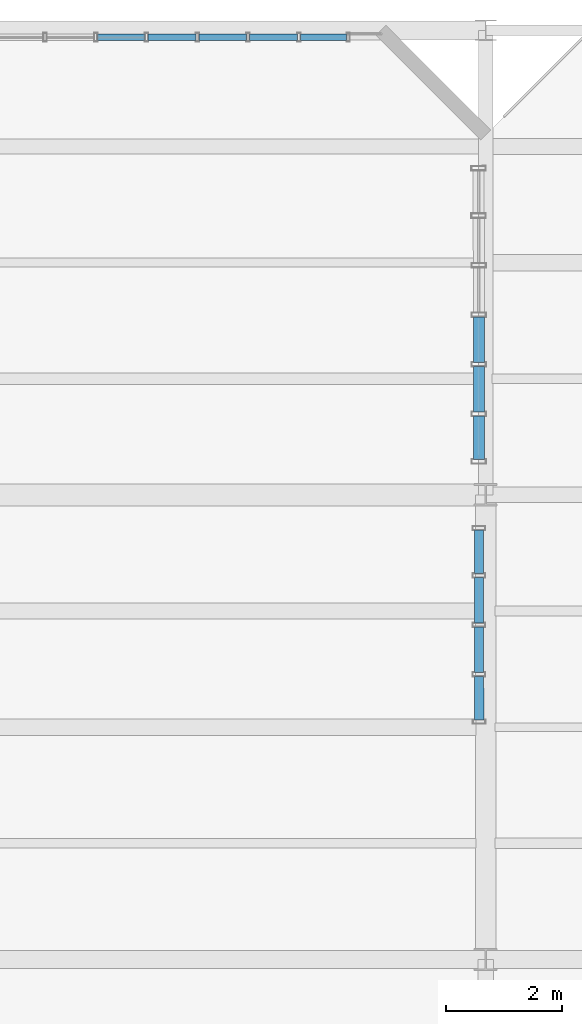
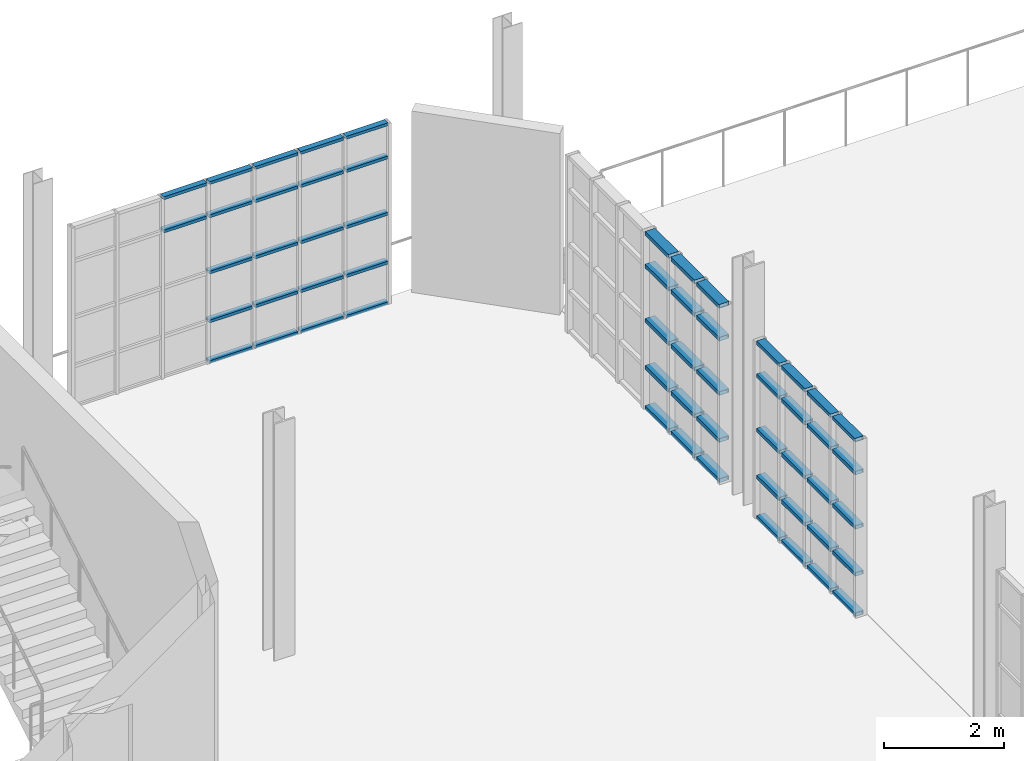
# One storey, part 65 of 85: 57 members, 3 elements without a shape of their own.
"""IFC4 building model written with IfcOpenShell, lengths in metres."""

from ifc_helpers import new_model, si_unit, direction, frame, origin, origin_2d, place, context, subcontext, project, spatial, hollow_rectangle, extrude, material, layer, layer_set, material_profile, profile_set, type_object, element, aggregate, save


model = new_model("IFC4")

# Units and contexts
model_context = context("Model", 3, precision=1e-05, world=origin(), true_north=direction((0.0, 1.0)))
body_context = subcontext(model_context, "Body", "Model", "MODEL_VIEW")
ifc_project = project(units=[si_unit("LENGTHUNIT", "METRE"), si_unit("AREAUNIT", "SQUARE_METRE"), si_unit("VOLUMEUNIT", "CUBIC_METRE"), si_unit("PLANEANGLEUNIT", "RADIAN"), si_unit("MASSUNIT", "GRAM", prefix="KILO"), si_unit("THERMODYNAMICTEMPERATUREUNIT", "KELVIN"), si_unit("POWERUNIT", "WATT")], contexts=[model_context])

# Site, building, storey
site_placement = place(None, origin())
site = spatial("IfcSite", under=ifc_project, at=site_placement, CompositionType="ELEMENT")
building_placement = place(site_placement, origin())
building = spatial("IfcBuilding", under=site, at=building_placement, Name="Zelmaris Science Centre", CompositionType="ELEMENT")
storey_placement = place(building_placement, frame((0.0, 0.0, 20.39990234375)))
storey = spatial("IfcBuildingStorey", under=building, at=storey_placement, Name="L04", CompositionType="ELEMENT", Elevation=20.39990234375)

# Curtain wall, members
ifc_material = material(Name="Anodised architectural aluminium 6063-T6", Category="aluminium")
ifc_layer_1 = layer(ifc_material, 0.219970703125, Name="Anodised architectural aluminium 6063-T6")
ifc_layer_set_1 = layer_set([ifc_layer_1], Name="Anodised architectural aluminium 6063-T6")
curtain_wall_type_1 = type_object("IfcCurtainWallType", Name="Curtain Wall CW-04", PredefinedType="USERDEFINED", material=ifc_layer_set_1)
curtain_wall_1_placement = place(storey_placement, origin())
curtain_wall_1 = element("IfcCurtainWall", 1, at=curtain_wall_1_placement, inside=storey, type_object=curtain_wall_type_1, Name="L04 Unitised curtain wall 344", ObjectType="GLAZED CURTAIN WALL", PredefinedType="USERDEFINED")
ifc_material_profile_1 = material_profile(ifc_material, hollow_rectangle(XDim=0.06005859375, YDim=0.110107421875, WallThickness=0.0029296875, at=origin_2d()), Name="ALU-TRN-60X110")
ifc_profile_set_1 = profile_set([ifc_material_profile_1], Name="Anodised architectural aluminium 6063-T6")
member_type_1 = type_object("IfcMemberType", Name="ALU-TRN-60X110", PredefinedType="USERDEFINED", material=ifc_profile_set_1)
member_1_placement = place(storey_placement, frame((74.314453125, 87.8798828125, 2.964111328125), z_axis=(1.0, 0.0, 0.0), x_axis=(0.0, 0.0, 1.0)))
member_1 = element("IfcMember", 2, at=member_1_placement, type_object=member_type_1, Name="CW-04 transom 3.4", ObjectType="TRANSOM", PredefinedType="USERDEFINED", context=body_context, shape_type="SweptSolid", body=[
    extrude(hollow_rectangle(XDim=0.06005859375, YDim=0.110107421875, WallThickness=0.0029296875, at=origin_2d()), origin(), (0.0, 0.0, 1.0), 0.822509765625),
])
member_2_placement = place(storey_placement, frame((74.314453125, 87.8798828125, 3.63818359375), z_axis=(1.0, 0.0, 0.0), x_axis=(0.0, 0.0, 1.0)))
member_2 = element("IfcMember", 3, at=member_2_placement, type_object=member_type_1, Name="CW-04 transom 3.5", ObjectType="TRANSOM", PredefinedType="USERDEFINED", context=body_context, shape_type="SweptSolid", body=[
    extrude(hollow_rectangle(XDim=0.06005859375, YDim=0.110107421875, WallThickness=0.0029296875, at=origin_2d()), origin(), (0.0, 0.0, 1.0), 0.822509765625),
])
member_3_placement = place(storey_placement, frame((75.18896484375, 87.8798828125, 0.010986328125), z_axis=(1.0, 0.0, 0.0), x_axis=(0.0, 0.0, 1.0)))
member_3 = element("IfcMember", 4, at=member_3_placement, type_object=member_type_1, Name="CW-04 transom 4.1", ObjectType="TRANSOM", PredefinedType="USERDEFINED", context=body_context, shape_type="SweptSolid", body=[
    extrude(hollow_rectangle(XDim=0.06005859375, YDim=0.110107421875, WallThickness=0.0029296875, at=origin_2d()), origin(), (0.0, 0.0, 1.0), 0.822265625),
])
member_4_placement = place(storey_placement, frame((75.18896484375, 87.8798828125, 0.835205078125), z_axis=(1.0, 0.0, 0.0), x_axis=(0.0, 0.0, 1.0)))
member_4 = element("IfcMember", 5, at=member_4_placement, type_object=member_type_1, Name="CW-04 transom 4.2", ObjectType="TRANSOM", PredefinedType="USERDEFINED", context=body_context, shape_type="SweptSolid", body=[
    extrude(hollow_rectangle(XDim=0.06005859375, YDim=0.110107421875, WallThickness=0.0029296875, at=origin_2d()), origin(), (0.0, 0.0, 1.0), 0.822265625),
])
member_5_placement = place(storey_placement, frame((75.18896484375, 87.8798828125, 1.82470703125), z_axis=(1.0, 0.0, 0.0), x_axis=(0.0, 0.0, 1.0)))
member_5 = element("IfcMember", 6, at=member_5_placement, type_object=member_type_1, Name="CW-04 transom 4.3", ObjectType="TRANSOM", PredefinedType="USERDEFINED", context=body_context, shape_type="SweptSolid", body=[
    extrude(hollow_rectangle(XDim=0.06005859375, YDim=0.110107421875, WallThickness=0.0029296875, at=origin_2d()), origin(), (0.0, 0.0, 1.0), 0.822265625),
])
member_6_placement = place(storey_placement, frame((75.18896484375, 87.8798828125, 2.964111328125), z_axis=(1.0, 0.0, 0.0), x_axis=(0.0, 0.0, 1.0)))
member_6 = element("IfcMember", 7, at=member_6_placement, type_object=member_type_1, Name="CW-04 transom 4.4", ObjectType="TRANSOM", PredefinedType="USERDEFINED", context=body_context, shape_type="SweptSolid", body=[
    extrude(hollow_rectangle(XDim=0.06005859375, YDim=0.110107421875, WallThickness=0.0029296875, at=origin_2d()), origin(), (0.0, 0.0, 1.0), 0.822265625),
])
member_7_placement = place(storey_placement, frame((75.18896484375, 87.8798828125, 3.63818359375), z_axis=(1.0, 0.0, 0.0), x_axis=(0.0, 0.0, 1.0)))
member_7 = element("IfcMember", 8, at=member_7_placement, type_object=member_type_1, Name="CW-04 transom 4.5", ObjectType="TRANSOM", PredefinedType="USERDEFINED", context=body_context, shape_type="SweptSolid", body=[
    extrude(hollow_rectangle(XDim=0.06005859375, YDim=0.110107421875, WallThickness=0.0029296875, at=origin_2d()), origin(), (0.0, 0.0, 1.0), 0.822265625),
])
member_8_placement = place(storey_placement, frame((76.063232421875, 87.8798828125, 0.010986328125), z_axis=(1.0, 0.0, 0.0), x_axis=(0.0, 0.0, 1.0)))
member_8 = element("IfcMember", 9, at=member_8_placement, type_object=member_type_1, Name="CW-04 transom 5.1", ObjectType="TRANSOM", PredefinedType="USERDEFINED", context=body_context, shape_type="SweptSolid", body=[
    extrude(hollow_rectangle(XDim=0.06005859375, YDim=0.110107421875, WallThickness=0.0029296875, at=origin_2d()), origin(), (0.0, 0.0, 1.0), 0.822265625),
])
member_9_placement = place(storey_placement, frame((76.063232421875, 87.8798828125, 0.835205078125), z_axis=(1.0, 0.0, 0.0), x_axis=(0.0, 0.0, 1.0)))
member_9 = element("IfcMember", 10, at=member_9_placement, type_object=member_type_1, Name="CW-04 transom 5.2", ObjectType="TRANSOM", PredefinedType="USERDEFINED", context=body_context, shape_type="SweptSolid", body=[
    extrude(hollow_rectangle(XDim=0.06005859375, YDim=0.110107421875, WallThickness=0.0029296875, at=origin_2d()), origin(), (0.0, 0.0, 1.0), 0.822265625),
])
member_10_placement = place(storey_placement, frame((76.063232421875, 87.8798828125, 1.82470703125), z_axis=(1.0, 0.0, 0.0), x_axis=(0.0, 0.0, 1.0)))
member_10 = element("IfcMember", 11, at=member_10_placement, type_object=member_type_1, Name="CW-04 transom 5.3", ObjectType="TRANSOM", PredefinedType="USERDEFINED", context=body_context, shape_type="SweptSolid", body=[
    extrude(hollow_rectangle(XDim=0.06005859375, YDim=0.110107421875, WallThickness=0.0029296875, at=origin_2d()), origin(), (0.0, 0.0, 1.0), 0.822265625),
])
member_11_placement = place(storey_placement, frame((76.063232421875, 87.8798828125, 2.964111328125), z_axis=(1.0, 0.0, 0.0), x_axis=(0.0, 0.0, 1.0)))
member_11 = element("IfcMember", 12, at=member_11_placement, type_object=member_type_1, Name="CW-04 transom 5.4", ObjectType="TRANSOM", PredefinedType="USERDEFINED", context=body_context, shape_type="SweptSolid", body=[
    extrude(hollow_rectangle(XDim=0.06005859375, YDim=0.110107421875, WallThickness=0.0029296875, at=origin_2d()), origin(), (0.0, 0.0, 1.0), 0.822265625),
])
member_12_placement = place(storey_placement, frame((76.063232421875, 87.8798828125, 3.63818359375), z_axis=(1.0, 0.0, 0.0), x_axis=(0.0, 0.0, 1.0)))
member_12 = element("IfcMember", 13, at=member_12_placement, type_object=member_type_1, Name="CW-04 transom 5.5", ObjectType="TRANSOM", PredefinedType="USERDEFINED", context=body_context, shape_type="SweptSolid", body=[
    extrude(hollow_rectangle(XDim=0.06005859375, YDim=0.110107421875, WallThickness=0.0029296875, at=origin_2d()), origin(), (0.0, 0.0, 1.0), 0.822265625),
])
member_13_placement = place(storey_placement, frame((76.9375, 87.8798828125, 0.010986328125), z_axis=(1.0, 0.0, 0.0), x_axis=(0.0, 0.0, 1.0)))
member_13 = element("IfcMember", 14, at=member_13_placement, type_object=member_type_1, Name="CW-04 transom 6.1", ObjectType="TRANSOM", PredefinedType="USERDEFINED", context=body_context, shape_type="SweptSolid", body=[
    extrude(hollow_rectangle(XDim=0.06005859375, YDim=0.110107421875, WallThickness=0.0029296875, at=origin_2d()), origin(), (0.0, 0.0, 1.0), 0.822265625),
])
member_14_placement = place(storey_placement, frame((76.9375, 87.8798828125, 0.835205078125), z_axis=(1.0, 0.0, 0.0), x_axis=(0.0, 0.0, 1.0)))
member_14 = element("IfcMember", 15, at=member_14_placement, type_object=member_type_1, Name="CW-04 transom 6.2", ObjectType="TRANSOM", PredefinedType="USERDEFINED", context=body_context, shape_type="SweptSolid", body=[
    extrude(hollow_rectangle(XDim=0.06005859375, YDim=0.110107421875, WallThickness=0.0029296875, at=origin_2d()), origin(), (0.0, 0.0, 1.0), 0.822265625),
])
member_15_placement = place(storey_placement, frame((76.9375, 87.8798828125, 1.82470703125), z_axis=(1.0, 0.0, 0.0), x_axis=(0.0, 0.0, 1.0)))
member_15 = element("IfcMember", 16, at=member_15_placement, type_object=member_type_1, Name="CW-04 transom 6.3", ObjectType="TRANSOM", PredefinedType="USERDEFINED", context=body_context, shape_type="SweptSolid", body=[
    extrude(hollow_rectangle(XDim=0.06005859375, YDim=0.110107421875, WallThickness=0.0029296875, at=origin_2d()), origin(), (0.0, 0.0, 1.0), 0.822265625),
])
member_16_placement = place(storey_placement, frame((76.9375, 87.8798828125, 2.964111328125), z_axis=(1.0, 0.0, 0.0), x_axis=(0.0, 0.0, 1.0)))
member_16 = element("IfcMember", 17, at=member_16_placement, type_object=member_type_1, Name="CW-04 transom 6.4", ObjectType="TRANSOM", PredefinedType="USERDEFINED", context=body_context, shape_type="SweptSolid", body=[
    extrude(hollow_rectangle(XDim=0.06005859375, YDim=0.110107421875, WallThickness=0.0029296875, at=origin_2d()), origin(), (0.0, 0.0, 1.0), 0.822265625),
])
member_17_placement = place(storey_placement, frame((76.9375, 87.8798828125, 3.63818359375), z_axis=(1.0, 0.0, 0.0), x_axis=(0.0, 0.0, 1.0)))
member_17 = element("IfcMember", 18, at=member_17_placement, type_object=member_type_1, Name="CW-04 transom 6.5", ObjectType="TRANSOM", PredefinedType="USERDEFINED", context=body_context, shape_type="SweptSolid", body=[
    extrude(hollow_rectangle(XDim=0.06005859375, YDim=0.110107421875, WallThickness=0.0029296875, at=origin_2d()), origin(), (0.0, 0.0, 1.0), 0.822265625),
])
member_18_placement = place(storey_placement, frame((77.811767578125, 87.8798828125, 0.010986328125), z_axis=(1.0, 0.0, 0.0), x_axis=(0.0, 0.0, 1.0)))
member_18 = element("IfcMember", 19, at=member_18_placement, type_object=member_type_1, Name="CW-04 transom 7.1", ObjectType="TRANSOM", PredefinedType="USERDEFINED", context=body_context, shape_type="SweptSolid", body=[
    extrude(hollow_rectangle(XDim=0.06005859375, YDim=0.110107421875, WallThickness=0.0029296875, at=origin_2d()), origin(), (0.0, 0.0, 1.0), 0.796142578125),
])
member_19_placement = place(storey_placement, frame((77.811767578125, 87.8798828125, 0.835205078125), z_axis=(1.0, 0.0, 0.0), x_axis=(0.0, 0.0, 1.0)))
member_19 = element("IfcMember", 20, at=member_19_placement, type_object=member_type_1, Name="CW-04 transom 7.2", ObjectType="TRANSOM", PredefinedType="USERDEFINED", context=body_context, shape_type="SweptSolid", body=[
    extrude(hollow_rectangle(XDim=0.06005859375, YDim=0.110107421875, WallThickness=0.0029296875, at=origin_2d()), origin(), (0.0, 0.0, 1.0), 0.796142578125),
])
member_20_placement = place(storey_placement, frame((77.811767578125, 87.8798828125, 1.82470703125), z_axis=(1.0, 0.0, 0.0), x_axis=(0.0, 0.0, 1.0)))
member_20 = element("IfcMember", 21, at=member_20_placement, type_object=member_type_1, Name="CW-04 transom 7.3", ObjectType="TRANSOM", PredefinedType="USERDEFINED", context=body_context, shape_type="SweptSolid", body=[
    extrude(hollow_rectangle(XDim=0.06005859375, YDim=0.110107421875, WallThickness=0.0029296875, at=origin_2d()), origin(), (0.0, 0.0, 1.0), 0.796142578125),
])
member_21_placement = place(storey_placement, frame((77.811767578125, 87.8798828125, 2.964111328125), z_axis=(1.0, 0.0, 0.0), x_axis=(0.0, 0.0, 1.0)))
member_21 = element("IfcMember", 22, at=member_21_placement, type_object=member_type_1, Name="CW-04 transom 7.4", ObjectType="TRANSOM", PredefinedType="USERDEFINED", context=body_context, shape_type="SweptSolid", body=[
    extrude(hollow_rectangle(XDim=0.06005859375, YDim=0.110107421875, WallThickness=0.0029296875, at=origin_2d()), origin(), (0.0, 0.0, 1.0), 0.796142578125),
])
member_22_placement = place(storey_placement, frame((77.811767578125, 87.8798828125, 3.63818359375), z_axis=(1.0, 0.0, 0.0), x_axis=(0.0, 0.0, 1.0)))
member_22 = element("IfcMember", 23, at=member_22_placement, type_object=member_type_1, Name="CW-04 transom 7.5", ObjectType="TRANSOM", PredefinedType="USERDEFINED", context=body_context, shape_type="SweptSolid", body=[
    extrude(hollow_rectangle(XDim=0.06005859375, YDim=0.110107421875, WallThickness=0.0029296875, at=origin_2d()), origin(), (0.0, 0.0, 1.0), 0.796142578125),
])
aggregate(curtain_wall_1, [member_1, member_2, member_3, member_4, member_5, member_6, member_7, member_8, member_9, member_10, member_11, member_12, member_13, member_14, member_15, member_16, member_17, member_18, member_19, member_20, member_21, member_22])

ifc_layer_2 = layer(ifc_material, 0.199951171875, Name="Anodised architectural aluminium 6063-T6")
ifc_layer_set_2 = layer_set([ifc_layer_2], Name="Anodised architectural aluminium 6063-T6")
curtain_wall_type_2 = type_object("IfcCurtainWallType", Name="Curtain Wall CW-02", PredefinedType="USERDEFINED", material=ifc_layer_set_2)
curtain_wall_2_placement = place(storey_placement, origin())
curtain_wall_2 = element("IfcCurtainWall", 24, at=curtain_wall_2_placement, inside=storey, type_object=curtain_wall_type_2, Name="L04 Unitised curtain wall 346", ObjectType="GLAZED CURTAIN WALL", PredefinedType="USERDEFINED")
ifc_material_profile_2 = material_profile(ifc_material, hollow_rectangle(XDim=0.074951171875, YDim=0.159912109375, WallThickness=0.00390625, at=origin_2d()), Name="ALU-TRN-75X160")
ifc_profile_set_2 = profile_set([ifc_material_profile_2], Name="Anodised architectural aluminium 6063-T6")
member_type_2 = type_object("IfcMemberType", Name="ALU-TRN-75X160", PredefinedType="USERDEFINED", material=ifc_profile_set_2)
member_23_placement = place(storey_placement, frame((80.88525390625, 79.392822265625, 0.0185546875), z_axis=(0.00065146566, -0.999999787796, 0.0), x_axis=(0.0, 0.0, 1.0)))
member_23 = element("IfcMember", 25, at=member_23_placement, type_object=member_type_2, Name="CW-02 transom 1.1", ObjectType="TRANSOM", PredefinedType="USERDEFINED", context=body_context, shape_type="SweptSolid", body=[
    extrude(hollow_rectangle(XDim=0.074951171875, YDim=0.159912109375, WallThickness=0.00390625, at=origin_2d()), origin(), (0.0, 0.0, 1.0), 0.74951171875),
])
member_24_placement = place(storey_placement, frame((80.88525390625, 79.392822265625, 0.835205078125), z_axis=(0.00065146566, -0.999999787796, 0.0), x_axis=(0.0, 0.0, 1.0)))
member_24 = element("IfcMember", 26, at=member_24_placement, type_object=member_type_2, Name="CW-02 transom 1.2", ObjectType="TRANSOM", PredefinedType="USERDEFINED", context=body_context, shape_type="SweptSolid", body=[
    extrude(hollow_rectangle(XDim=0.074951171875, YDim=0.159912109375, WallThickness=0.00390625, at=origin_2d()), origin(), (0.0, 0.0, 1.0), 0.74951171875),
])
member_25_placement = place(storey_placement, frame((80.88525390625, 79.392822265625, 1.78662109375), z_axis=(0.00065146566, -0.999999787796, 0.0), x_axis=(0.0, 0.0, 1.0)))
member_25 = element("IfcMember", 27, at=member_25_placement, type_object=member_type_2, Name="CW-02 transom 1.3", ObjectType="TRANSOM", PredefinedType="USERDEFINED", context=body_context, shape_type="SweptSolid", body=[
    extrude(hollow_rectangle(XDim=0.074951171875, YDim=0.159912109375, WallThickness=0.00390625, at=origin_2d()), origin(), (0.0, 0.0, 1.0), 0.74951171875),
])
member_26_placement = place(storey_placement, frame((80.88525390625, 79.392822265625, 2.88818359375), z_axis=(0.00065146566, -0.999999787796, 0.0), x_axis=(0.0, 0.0, 1.0)))
member_26 = element("IfcMember", 28, at=member_26_placement, type_object=member_type_2, Name="CW-02 transom 1.4", ObjectType="TRANSOM", PredefinedType="USERDEFINED", context=body_context, shape_type="SweptSolid", body=[
    extrude(hollow_rectangle(XDim=0.074951171875, YDim=0.159912109375, WallThickness=0.00390625, at=origin_2d()), origin(), (0.0, 0.0, 1.0), 0.74951171875),
])
member_27_placement = place(storey_placement, frame((80.88525390625, 79.392822265625, 3.5546875), z_axis=(0.00065146566, -0.999999787796, 0.0), x_axis=(0.0, 0.0, 1.0)))
member_27 = element("IfcMember", 29, at=member_27_placement, type_object=member_type_2, Name="CW-02 transom 1.5", ObjectType="TRANSOM", PredefinedType="USERDEFINED", context=body_context, shape_type="SweptSolid", body=[
    extrude(hollow_rectangle(XDim=0.074951171875, YDim=0.159912109375, WallThickness=0.00390625, at=origin_2d()), origin(), (0.0, 0.0, 1.0), 0.74951171875),
])
member_28_placement = place(storey_placement, frame((80.8857421875, 78.576416015625, 0.0185546875), z_axis=(0.000935453286, -0.999999562463, 0.0), x_axis=(0.0, 0.0, 1.0)))
member_28 = element("IfcMember", 30, at=member_28_placement, type_object=member_type_2, Name="CW-02 transom 2.1", ObjectType="TRANSOM", PredefinedType="USERDEFINED", context=body_context, shape_type="SweptSolid", body=[
    extrude(hollow_rectangle(XDim=0.074951171875, YDim=0.159912109375, WallThickness=0.00390625, at=origin_2d()), origin(), (0.0, 0.0, 1.0), 0.782958984375),
])
member_29_placement = place(storey_placement, frame((80.8857421875, 78.576416015625, 0.835205078125), z_axis=(0.000935453286, -0.999999562463, 0.0), x_axis=(0.0, 0.0, 1.0)))
member_29 = element("IfcMember", 31, at=member_29_placement, type_object=member_type_2, Name="CW-02 transom 2.2", ObjectType="TRANSOM", PredefinedType="USERDEFINED", context=body_context, shape_type="SweptSolid", body=[
    extrude(hollow_rectangle(XDim=0.074951171875, YDim=0.159912109375, WallThickness=0.00390625, at=origin_2d()), origin(), (0.0, 0.0, 1.0), 0.782958984375),
])
member_30_placement = place(storey_placement, frame((80.8857421875, 78.576416015625, 1.78662109375), z_axis=(0.000935453286, -0.999999562463, 0.0), x_axis=(0.0, 0.0, 1.0)))
member_30 = element("IfcMember", 32, at=member_30_placement, type_object=member_type_2, Name="CW-02 transom 2.3", ObjectType="TRANSOM", PredefinedType="USERDEFINED", context=body_context, shape_type="SweptSolid", body=[
    extrude(hollow_rectangle(XDim=0.074951171875, YDim=0.159912109375, WallThickness=0.00390625, at=origin_2d()), origin(), (0.0, 0.0, 1.0), 0.782958984375),
])
member_31_placement = place(storey_placement, frame((80.8857421875, 78.576416015625, 2.88818359375), z_axis=(0.000935453286, -0.999999562463, 0.0), x_axis=(0.0, 0.0, 1.0)))
member_31 = element("IfcMember", 33, at=member_31_placement, type_object=member_type_2, Name="CW-02 transom 2.4", ObjectType="TRANSOM", PredefinedType="USERDEFINED", context=body_context, shape_type="SweptSolid", body=[
    extrude(hollow_rectangle(XDim=0.074951171875, YDim=0.159912109375, WallThickness=0.00390625, at=origin_2d()), origin(), (0.0, 0.0, 1.0), 0.782958984375),
])
member_32_placement = place(storey_placement, frame((80.8857421875, 78.576416015625, 3.5546875), z_axis=(0.000935453286, -0.999999562463, 0.0), x_axis=(0.0, 0.0, 1.0)))
member_32 = element("IfcMember", 34, at=member_32_placement, type_object=member_type_2, Name="CW-02 transom 2.5", ObjectType="TRANSOM", PredefinedType="USERDEFINED", context=body_context, shape_type="SweptSolid", body=[
    extrude(hollow_rectangle(XDim=0.074951171875, YDim=0.159912109375, WallThickness=0.00390625, at=origin_2d()), origin(), (0.0, 0.0, 1.0), 0.782958984375),
])
member_33_placement = place(storey_placement, frame((80.886474609375, 77.726318359375, 0.0185546875), z_axis=(0.000935453286, -0.999999562463, 0.0), x_axis=(0.0, 0.0, 1.0)))
member_33 = element("IfcMember", 35, at=member_33_placement, type_object=member_type_2, Name="CW-02 transom 3.1", ObjectType="TRANSOM", PredefinedType="USERDEFINED", context=body_context, shape_type="SweptSolid", body=[
    extrude(hollow_rectangle(XDim=0.074951171875, YDim=0.159912109375, WallThickness=0.00390625, at=origin_2d()), origin(), (0.0, 0.0, 1.0), 0.782958984375),
])
member_34_placement = place(storey_placement, frame((80.886474609375, 77.726318359375, 0.835205078125), z_axis=(0.000935453286, -0.999999562463, 0.0), x_axis=(0.0, 0.0, 1.0)))
member_34 = element("IfcMember", 36, at=member_34_placement, type_object=member_type_2, Name="CW-02 transom 3.2", ObjectType="TRANSOM", PredefinedType="USERDEFINED", context=body_context, shape_type="SweptSolid", body=[
    extrude(hollow_rectangle(XDim=0.074951171875, YDim=0.159912109375, WallThickness=0.00390625, at=origin_2d()), origin(), (0.0, 0.0, 1.0), 0.782958984375),
])
member_35_placement = place(storey_placement, frame((80.886474609375, 77.726318359375, 1.78662109375), z_axis=(0.000935453286, -0.999999562463, 0.0), x_axis=(0.0, 0.0, 1.0)))
member_35 = element("IfcMember", 37, at=member_35_placement, type_object=member_type_2, Name="CW-02 transom 3.3", ObjectType="TRANSOM", PredefinedType="USERDEFINED", context=body_context, shape_type="SweptSolid", body=[
    extrude(hollow_rectangle(XDim=0.074951171875, YDim=0.159912109375, WallThickness=0.00390625, at=origin_2d()), origin(), (0.0, 0.0, 1.0), 0.782958984375),
])
member_36_placement = place(storey_placement, frame((80.886474609375, 77.726318359375, 2.88818359375), z_axis=(0.000935453286, -0.999999562463, 0.0), x_axis=(0.0, 0.0, 1.0)))
member_36 = element("IfcMember", 38, at=member_36_placement, type_object=member_type_2, Name="CW-02 transom 3.4", ObjectType="TRANSOM", PredefinedType="USERDEFINED", context=body_context, shape_type="SweptSolid", body=[
    extrude(hollow_rectangle(XDim=0.074951171875, YDim=0.159912109375, WallThickness=0.00390625, at=origin_2d()), origin(), (0.0, 0.0, 1.0), 0.782958984375),
])
member_37_placement = place(storey_placement, frame((80.886474609375, 77.726318359375, 3.5546875), z_axis=(0.000935453286, -0.999999562463, 0.0), x_axis=(0.0, 0.0, 1.0)))
member_37 = element("IfcMember", 39, at=member_37_placement, type_object=member_type_2, Name="CW-02 transom 3.5", ObjectType="TRANSOM", PredefinedType="USERDEFINED", context=body_context, shape_type="SweptSolid", body=[
    extrude(hollow_rectangle(XDim=0.074951171875, YDim=0.159912109375, WallThickness=0.00390625, at=origin_2d()), origin(), (0.0, 0.0, 1.0), 0.782958984375),
])
member_38_placement = place(storey_placement, frame((80.88720703125, 76.87646484375, 0.0185546875), z_axis=(0.00065146566, -0.999999787796, 0.0), x_axis=(0.0, 0.0, 1.0)))
member_38 = element("IfcMember", 40, at=member_38_placement, type_object=member_type_2, Name="CW-02 transom 4.1", ObjectType="TRANSOM", PredefinedType="USERDEFINED", context=body_context, shape_type="SweptSolid", body=[
    extrude(hollow_rectangle(XDim=0.074951171875, YDim=0.159912109375, WallThickness=0.00390625, at=origin_2d()), origin(), (0.0, 0.0, 1.0), 0.74951171875),
])
member_39_placement = place(storey_placement, frame((80.88720703125, 76.87646484375, 0.835205078125), z_axis=(0.00065146566, -0.999999787796, 0.0), x_axis=(0.0, 0.0, 1.0)))
member_39 = element("IfcMember", 41, at=member_39_placement, type_object=member_type_2, Name="CW-02 transom 4.2", ObjectType="TRANSOM", PredefinedType="USERDEFINED", context=body_context, shape_type="SweptSolid", body=[
    extrude(hollow_rectangle(XDim=0.074951171875, YDim=0.159912109375, WallThickness=0.00390625, at=origin_2d()), origin(), (0.0, 0.0, 1.0), 0.74951171875),
])
member_40_placement = place(storey_placement, frame((80.88720703125, 76.87646484375, 1.78662109375), z_axis=(0.00065146566, -0.999999787796, 0.0), x_axis=(0.0, 0.0, 1.0)))
member_40 = element("IfcMember", 42, at=member_40_placement, type_object=member_type_2, Name="CW-02 transom 4.3", ObjectType="TRANSOM", PredefinedType="USERDEFINED", context=body_context, shape_type="SweptSolid", body=[
    extrude(hollow_rectangle(XDim=0.074951171875, YDim=0.159912109375, WallThickness=0.00390625, at=origin_2d()), origin(), (0.0, 0.0, 1.0), 0.74951171875),
])
member_41_placement = place(storey_placement, frame((80.88720703125, 76.87646484375, 2.88818359375), z_axis=(0.00065146566, -0.999999787796, 0.0), x_axis=(0.0, 0.0, 1.0)))
member_41 = element("IfcMember", 43, at=member_41_placement, type_object=member_type_2, Name="CW-02 transom 4.4", ObjectType="TRANSOM", PredefinedType="USERDEFINED", context=body_context, shape_type="SweptSolid", body=[
    extrude(hollow_rectangle(XDim=0.074951171875, YDim=0.159912109375, WallThickness=0.00390625, at=origin_2d()), origin(), (0.0, 0.0, 1.0), 0.74951171875),
])
member_42_placement = place(storey_placement, frame((80.88720703125, 76.87646484375, 3.5546875), z_axis=(0.00065146566, -0.999999787796, 0.0), x_axis=(0.0, 0.0, 1.0)))
member_42 = element("IfcMember", 44, at=member_42_placement, type_object=member_type_2, Name="CW-02 transom 4.5", ObjectType="TRANSOM", PredefinedType="USERDEFINED", context=body_context, shape_type="SweptSolid", body=[
    extrude(hollow_rectangle(XDim=0.074951171875, YDim=0.159912109375, WallThickness=0.00390625, at=origin_2d()), origin(), (0.0, 0.0, 1.0), 0.74951171875),
])
aggregate(curtain_wall_2, [member_23, member_24, member_25, member_26, member_27, member_28, member_29, member_30, member_31, member_32, member_33, member_34, member_35, member_36, member_37, member_38, member_39, member_40, member_41, member_42])

ifc_layer_3 = layer(ifc_material, 0.18994140625, Name="Anodised architectural aluminium 6063-T6")
ifc_layer_set_3 = layer_set([ifc_layer_3], Name="Anodised architectural aluminium 6063-T6")
curtain_wall_type_3 = type_object("IfcCurtainWallType", Name="Curtain Wall CW-01", PredefinedType="USERDEFINED", material=ifc_layer_set_3)
curtain_wall_3_placement = place(storey_placement, origin())
curtain_wall_3 = element("IfcCurtainWall", 45, at=curtain_wall_3_placement, inside=storey, type_object=curtain_wall_type_3, Name="L04 Unitised curtain wall 345", ObjectType="GLAZED CURTAIN WALL", PredefinedType="USERDEFINED")
ifc_material_profile_3 = material_profile(ifc_material, hollow_rectangle(XDim=0.080078125, YDim=0.18994140625, WallThickness=0.00439453125, at=origin_2d()), Name="ALU-TRN-80X190")
ifc_profile_set_3 = profile_set([ifc_material_profile_3], Name="Anodised architectural aluminium 6063-T6")
member_type_3 = type_object("IfcMemberType", Name="ALU-TRN-80X190", PredefinedType="USERDEFINED", material=ifc_profile_set_3)
member_43_placement = place(storey_placement, frame((80.88232421875, 83.06396484375, 0.02099609375), z_axis=(0.000937206711, -0.999999560822, 0.0), x_axis=(0.0, 0.0, 1.0)))
member_43 = element("IfcMember", 46, at=member_43_placement, type_object=member_type_3, Name="CW-01 transom 4.1", ObjectType="TRANSOM", PredefinedType="USERDEFINED", context=body_context, shape_type="SweptSolid", body=[
    extrude(hollow_rectangle(XDim=0.080078125, YDim=0.18994140625, WallThickness=0.00439453125, at=origin_2d()), origin(), (0.0, 0.0, 1.0), 0.781494140625),
])
member_44_placement = place(storey_placement, frame((80.88232421875, 83.06396484375, 0.835205078125), z_axis=(0.000937206711, -0.999999560822, 0.0), x_axis=(0.0, 0.0, 1.0)))
member_44 = element("IfcMember", 47, at=member_44_placement, type_object=member_type_3, Name="CW-01 transom 4.2", ObjectType="TRANSOM", PredefinedType="USERDEFINED", context=body_context, shape_type="SweptSolid", body=[
    extrude(hollow_rectangle(XDim=0.080078125, YDim=0.18994140625, WallThickness=0.00439453125, at=origin_2d()), origin(), (0.0, 0.0, 1.0), 0.781494140625),
])
member_45_placement = place(storey_placement, frame((80.88232421875, 83.06396484375, 1.78662109375), z_axis=(0.000937206711, -0.999999560822, 0.0), x_axis=(0.0, 0.0, 1.0)))
member_45 = element("IfcMember", 48, at=member_45_placement, type_object=member_type_3, Name="CW-01 transom 4.3", ObjectType="TRANSOM", PredefinedType="USERDEFINED", context=body_context, shape_type="SweptSolid", body=[
    extrude(hollow_rectangle(XDim=0.080078125, YDim=0.18994140625, WallThickness=0.00439453125, at=origin_2d()), origin(), (0.0, 0.0, 1.0), 0.781494140625),
])
member_46_placement = place(storey_placement, frame((80.88232421875, 83.06396484375, 2.88818359375), z_axis=(0.000937206711, -0.999999560822, 0.0), x_axis=(0.0, 0.0, 1.0)))
member_46 = element("IfcMember", 49, at=member_46_placement, type_object=member_type_3, Name="CW-01 transom 4.4", ObjectType="TRANSOM", PredefinedType="USERDEFINED", context=body_context, shape_type="SweptSolid", body=[
    extrude(hollow_rectangle(XDim=0.080078125, YDim=0.18994140625, WallThickness=0.00439453125, at=origin_2d()), origin(), (0.0, 0.0, 1.0), 0.781494140625),
])
member_47_placement = place(storey_placement, frame((80.88232421875, 83.06396484375, 3.552001953125), z_axis=(0.000937206711, -0.999999560822, 0.0), x_axis=(0.0, 0.0, 1.0)))
member_47 = element("IfcMember", 50, at=member_47_placement, type_object=member_type_3, Name="CW-01 transom 4.5", ObjectType="TRANSOM", PredefinedType="USERDEFINED", context=body_context, shape_type="SweptSolid", body=[
    extrude(hollow_rectangle(XDim=0.080078125, YDim=0.18994140625, WallThickness=0.00439453125, at=origin_2d()), origin(), (0.0, 0.0, 1.0), 0.781494140625),
])
member_48_placement = place(storey_placement, frame((80.883056640625, 82.21044921875, 0.02099609375), z_axis=(0.000624999878, -0.999999804688, 0.0), x_axis=(0.0, 0.0, 1.0)))
member_48 = element("IfcMember", 51, at=member_48_placement, type_object=member_type_3, Name="CW-01 transom 5.1", ObjectType="TRANSOM", PredefinedType="USERDEFINED", context=body_context, shape_type="SweptSolid", body=[
    extrude(hollow_rectangle(XDim=0.080078125, YDim=0.18994140625, WallThickness=0.00439453125, at=origin_2d()), origin(), (0.0, 0.0, 1.0), 0.78125),
])
member_49_placement = place(storey_placement, frame((80.883056640625, 82.21044921875, 0.835205078125), z_axis=(0.000624999878, -0.999999804688, 0.0), x_axis=(0.0, 0.0, 1.0)))
member_49 = element("IfcMember", 52, at=member_49_placement, type_object=member_type_3, Name="CW-01 transom 5.2", ObjectType="TRANSOM", PredefinedType="USERDEFINED", context=body_context, shape_type="SweptSolid", body=[
    extrude(hollow_rectangle(XDim=0.080078125, YDim=0.18994140625, WallThickness=0.00439453125, at=origin_2d()), origin(), (0.0, 0.0, 1.0), 0.78125),
])
member_50_placement = place(storey_placement, frame((80.883056640625, 82.21044921875, 1.78662109375), z_axis=(0.000624999878, -0.999999804688, 0.0), x_axis=(0.0, 0.0, 1.0)))
member_50 = element("IfcMember", 53, at=member_50_placement, type_object=member_type_3, Name="CW-01 transom 5.3", ObjectType="TRANSOM", PredefinedType="USERDEFINED", context=body_context, shape_type="SweptSolid", body=[
    extrude(hollow_rectangle(XDim=0.080078125, YDim=0.18994140625, WallThickness=0.00439453125, at=origin_2d()), origin(), (0.0, 0.0, 1.0), 0.78125),
])
member_51_placement = place(storey_placement, frame((80.883056640625, 82.21044921875, 2.88818359375), z_axis=(0.000624999878, -0.999999804688, 0.0), x_axis=(0.0, 0.0, 1.0)))
member_51 = element("IfcMember", 54, at=member_51_placement, type_object=member_type_3, Name="CW-01 transom 5.4", ObjectType="TRANSOM", PredefinedType="USERDEFINED", context=body_context, shape_type="SweptSolid", body=[
    extrude(hollow_rectangle(XDim=0.080078125, YDim=0.18994140625, WallThickness=0.00439453125, at=origin_2d()), origin(), (0.0, 0.0, 1.0), 0.78125),
])
member_52_placement = place(storey_placement, frame((80.883056640625, 82.21044921875, 3.552001953125), z_axis=(0.000624999878, -0.999999804688, 0.0), x_axis=(0.0, 0.0, 1.0)))
member_52 = element("IfcMember", 55, at=member_52_placement, type_object=member_type_3, Name="CW-01 transom 5.5", ObjectType="TRANSOM", PredefinedType="USERDEFINED", context=body_context, shape_type="SweptSolid", body=[
    extrude(hollow_rectangle(XDim=0.080078125, YDim=0.18994140625, WallThickness=0.00439453125, at=origin_2d()), origin(), (0.0, 0.0, 1.0), 0.78125),
])
member_53_placement = place(storey_placement, frame((80.883544921875, 81.357177734375, 0.02099609375), z_axis=(0.000982639552, -0.99999951721, 0.0), x_axis=(0.0, 0.0, 1.0)))
member_53 = element("IfcMember", 56, at=member_53_placement, type_object=member_type_3, Name="CW-01 transom 6.1", ObjectType="TRANSOM", PredefinedType="USERDEFINED", context=body_context, shape_type="SweptSolid", body=[
    extrude(hollow_rectangle(XDim=0.080078125, YDim=0.18994140625, WallThickness=0.00439453125, at=origin_2d()), origin(), (0.0, 0.0, 1.0), 0.745361328125),
])
member_54_placement = place(storey_placement, frame((80.883544921875, 81.357177734375, 0.835205078125), z_axis=(0.000982639552, -0.99999951721, 0.0), x_axis=(0.0, 0.0, 1.0)))
member_54 = element("IfcMember", 57, at=member_54_placement, type_object=member_type_3, Name="CW-01 transom 6.2", ObjectType="TRANSOM", PredefinedType="USERDEFINED", context=body_context, shape_type="SweptSolid", body=[
    extrude(hollow_rectangle(XDim=0.080078125, YDim=0.18994140625, WallThickness=0.00439453125, at=origin_2d()), origin(), (0.0, 0.0, 1.0), 0.745361328125),
])
member_55_placement = place(storey_placement, frame((80.883544921875, 81.357177734375, 1.78662109375), z_axis=(0.000982639552, -0.99999951721, 0.0), x_axis=(0.0, 0.0, 1.0)))
member_55 = element("IfcMember", 58, at=member_55_placement, type_object=member_type_3, Name="CW-01 transom 6.3", ObjectType="TRANSOM", PredefinedType="USERDEFINED", context=body_context, shape_type="SweptSolid", body=[
    extrude(hollow_rectangle(XDim=0.080078125, YDim=0.18994140625, WallThickness=0.00439453125, at=origin_2d()), origin(), (0.0, 0.0, 1.0), 0.745361328125),
])
member_56_placement = place(storey_placement, frame((80.883544921875, 81.357177734375, 2.88818359375), z_axis=(0.000982639552, -0.99999951721, 0.0), x_axis=(0.0, 0.0, 1.0)))
member_56 = element("IfcMember", 59, at=member_56_placement, type_object=member_type_3, Name="CW-01 transom 6.4", ObjectType="TRANSOM", PredefinedType="USERDEFINED", context=body_context, shape_type="SweptSolid", body=[
    extrude(hollow_rectangle(XDim=0.080078125, YDim=0.18994140625, WallThickness=0.00439453125, at=origin_2d()), origin(), (0.0, 0.0, 1.0), 0.745361328125),
])
member_57_placement = place(storey_placement, frame((80.883544921875, 81.357177734375, 3.552001953125), z_axis=(0.000982639552, -0.99999951721, 0.0), x_axis=(0.0, 0.0, 1.0)))
member_57 = element("IfcMember", 60, at=member_57_placement, type_object=member_type_3, Name="CW-01 transom 6.5", ObjectType="TRANSOM", PredefinedType="USERDEFINED", context=body_context, shape_type="SweptSolid", body=[
    extrude(hollow_rectangle(XDim=0.080078125, YDim=0.18994140625, WallThickness=0.00439453125, at=origin_2d()), origin(), (0.0, 0.0, 1.0), 0.745361328125),
])
aggregate(curtain_wall_3, [member_43, member_44, member_45, member_46, member_47, member_48, member_49, member_50, member_51, member_52, member_53, member_54, member_55, member_56, member_57])

save(model, "model.ifc")
